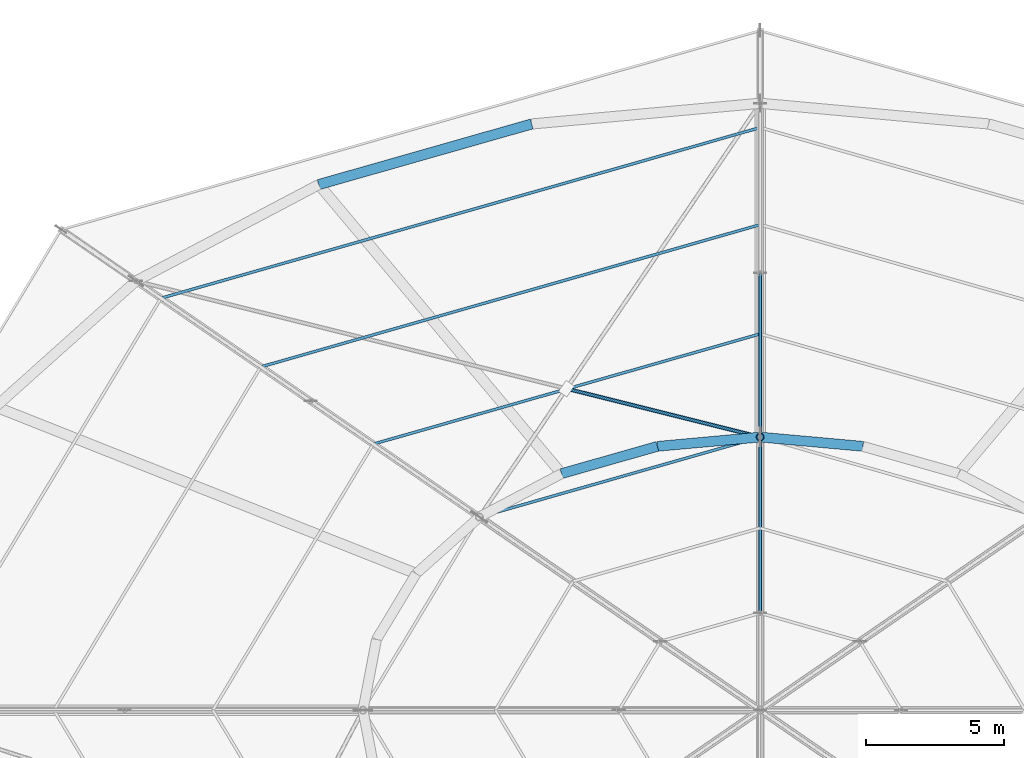
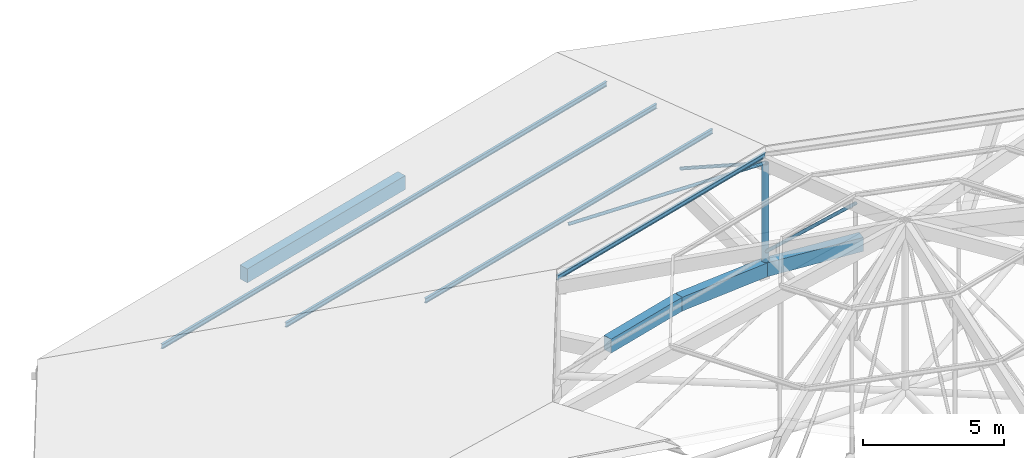
# One storey, part 34 of 66: 8 members, 4 beams.
"""IFC4 building model written with IfcOpenShell, lengths in metres."""

from ifc_helpers import new_model, si_unit, direction, frame, origin, origin_2d, place, context, subcontext, project, spatial, rectangle, hollow_circle, i_section, extrude, material, material_profile, profile_set, type_object, element, save


model = new_model("IFC4")

# Units and contexts
model_context = context("Model", 3, precision=1e-05, world=origin(), true_north=direction((0.0, 1.0)))
body_context = subcontext(model_context, "Body", "Model", "MODEL_VIEW")
ifc_project = project(units=[si_unit("LENGTHUNIT", "METRE"), si_unit("AREAUNIT", "SQUARE_METRE"), si_unit("VOLUMEUNIT", "CUBIC_METRE"), si_unit("PLANEANGLEUNIT", "RADIAN"), si_unit("MASSUNIT", "GRAM", prefix="KILO")], contexts=[model_context])

# Site, building, storey
site_placement = place(None, origin())
site = spatial("IfcSite", under=ifc_project, at=site_placement, CompositionType="ELEMENT")
building_placement = place(site_placement, origin())
building = spatial("IfcBuilding", under=site, at=building_placement, Name="Zornivar Specialist Clinic", CompositionType="ELEMENT")
storey_placement = place(building_placement, frame((0.0, 0.0, 16.0)))
storey = spatial("IfcBuildingStorey", under=building, at=storey_placement, Name="L04", CompositionType="ELEMENT", Elevation=16.0)

# Beams
ifc_material_1 = material(Name="Concrete C30/37", Category="concrete")
ifc_material_profile_1 = material_profile(ifc_material_1, rectangle(XDim=0.360107421875, YDim=0.60009765625, at=origin_2d()), Name="RC 360x600")
ifc_profile_set_1 = profile_set([ifc_material_profile_1], Name="Concrete C30/37")
beam_type_1 = type_object("IfcBeamType", Name="BM-RC-360x600", PredefinedType="BEAM", material=ifc_profile_set_1)
beam_1_placement = place(storey_placement, frame((97.326904296875, 67.1630859375, -0.300048828125), z_axis=(-0.99593853732, 0.090035714478, 0.0), x_axis=(-0.090035714478, -0.99593853732, 0.0)))
element("IfcBeam", 1, at=beam_1_placement, inside=storey, type_object=beam_type_1, Name="bm:V1:L04:inring:05", PredefinedType="BEAM", context=body_context, shape_type="SweptSolid", body=[
    extrude(rectangle(XDim=0.360107421875, YDim=0.60009765625, at=origin_2d()), origin(), (0.0, 0.0, 1.0), 3.741943359375),
])
beam_2_placement = place(storey_placement, frame((93.60009765625, 67.5, -0.300048828125), z_axis=(-0.995939066158, -0.09002986449, 0.0), x_axis=(0.09002986449, -0.995939066158, 0.0)))
element("IfcBeam", 2, at=beam_2_placement, inside=storey, type_object=beam_type_1, Name="bm:V1:L04:inring:06", PredefinedType="BEAM", context=body_context, shape_type="SweptSolid", body=[
    extrude(rectangle(XDim=0.360107421875, YDim=0.60009765625, at=origin_2d()), origin(), (0.0, 0.0, 1.0), 3.7421875),
])
beam_3_placement = place(storey_placement, frame((89.873046875, 67.1630859375, -0.300048828125), z_axis=(-0.961765935349, -0.2738727544, 0.0), x_axis=(0.2738727544, -0.961765935349, 0.0)))
element("IfcBeam", 3, at=beam_3_placement, inside=storey, type_object=beam_type_1, Name="bm:V1:L04:inring:07", PredefinedType="BEAM", context=body_context, shape_type="SweptSolid", body=[
    extrude(rectangle(XDim=0.360107421875, YDim=0.60009765625, at=origin_2d()), origin(), (0.0, 0.0, 1.0), 3.611328125),
])
ifc_material_2 = material(Name="Concrete C30/37", Category="concrete")
ifc_material_profile_2 = material_profile(ifc_material_2, rectangle(XDim=0.3701171875, YDim=0.60009765625, at=origin_2d()), Name="RC 370x600")
ifc_profile_set_2 = profile_set([ifc_material_profile_2], Name="Concrete C30/37")
beam_type_2 = type_object("IfcBeamType", Name="BM-RC-SPANDREL-370x600", PredefinedType="SPANDREL", material=ifc_profile_set_2)
beam_4_placement = place(storey_placement, frame((85.318115234375, 78.85009765625, -0.5400390625), z_axis=(-0.961790992591, -0.273784744957, 0.0), x_axis=(0.273784744957, -0.961790992591, 0.0)))
element("IfcBeam", 4, at=beam_4_placement, inside=storey, type_object=beam_type_2, Name="bm:V1:L04:outring:07", PredefinedType="SPANDREL", context=body_context, shape_type="SweptSolid", body=[
    extrude(rectangle(XDim=0.3701171875, YDim=0.60009765625, at=origin_2d()), origin(), (0.0, 0.0, 1.0), 8.024658203125),
])

# Members
ifc_material_3 = material(Name="Steel S355J2", Category="steel")
ifc_material_profile_3 = material_profile(ifc_material_3, hollow_circle(Radius=0.136474609375, WallThickness=0.012451171875, at=origin_2d()), Name="CHS 273x12.5")
ifc_profile_set_3 = profile_set([ifc_material_profile_3], Name="Steel S355J2")
member_type_1 = type_object("IfcMemberType", Name="MEM-CHORD-CHS273", PredefinedType="CHORD", material=ifc_profile_set_3)
member_1_placement = place(storey_placement, frame((93.60009765625, 67.5, -0.080078125), z_axis=(0.0, 0.0, 1.0), x_axis=(1.0, 0.0, 0.0)))
element("IfcMember", 5, at=member_1_placement, inside=storey, type_object=member_type_1, Name="mem:V1:L04:post:in:2", PredefinedType="CHORD", context=body_context, shape_type="SweptSolid", body=[
    extrude(hollow_circle(Radius=0.136474609375, WallThickness=0.012451171875, at=origin_2d()), origin(), (0.0, 0.0, 1.0), 4.2841796875),
])
ifc_material_4 = material(Name="Steel S355J2", Category="steel")
ifc_material_profile_4 = material_profile(ifc_material_4, hollow_circle(Radius=0.06982421875, WallThickness=0.008056640625, at=origin_2d()), Name="CHS 139.7x8")
ifc_profile_set_4 = profile_set([ifc_material_profile_4], Name="Steel S355J2")
member_type_2 = type_object("IfcMemberType", Name="MEM-DIAG-CHS140", PredefinedType="BRACE", material=ifc_profile_set_4)
member_2_placement = place(storey_placement, frame((93.60009765625, 73.43994140625, 0.360107421875), z_axis=(0.0, -0.839537753422, 0.543301353375), x_axis=(1.0, 0.0, 0.0)))
element("IfcMember", 6, at=member_2_placement, inside=storey, type_object=member_type_2, Name="mem:V1:L04:diag2:2", PredefinedType="BRACE", context=body_context, shape_type="SweptSolid", body=[
    extrude(hollow_circle(Radius=0.06982421875, WallThickness=0.008056640625, at=origin_2d()), origin(), (0.0, 0.0, 1.0), 7.0751953125),
])
member_3_placement = place(storey_placement, frame((93.60009765625, 67.5, 0.360107421875), z_axis=(0.0, -0.730355967539, 0.683066732231), x_axis=(1.0, 0.0, 0.0)))
element("IfcMember", 7, at=member_3_placement, inside=storey, type_object=member_type_2, Name="mem:V1:L04:diag3:2", PredefinedType="BRACE", context=body_context, shape_type="SweptSolid", body=[
    extrude(hollow_circle(Radius=0.06982421875, WallThickness=0.008056640625, at=origin_2d()), origin(), (0.0, 0.0, 1.0), 8.7353515625),
])
ifc_material_5 = material(Name="Steel S355J2", Category="steel")
ifc_material_profile_5 = material_profile(ifc_material_5, i_section(OverallWidth=0.10009765625, OverallDepth=0.199951171875, WebThickness=0.005615234375, FlangeThickness=0.008544921875, FilletRadius=0.011962890625, at=origin_2d()), Name="IPE 200")
ifc_profile_set_5 = profile_set([ifc_material_profile_5], Name="Steel S355J2")
member_type_3 = type_object("IfcMemberType", Name="MEM-PURLIN-IPE200", PredefinedType="PURLIN", material=ifc_profile_set_5)
member_4_placement = place(storey_placement, frame((93.60009765625, 78.719970703125, 0.8349609375), z_axis=(-0.961760988869, -0.273890124485, 0.0), x_axis=(0.273890124485, -0.961760988869, 0.0)))
element("IfcMember", 8, at=member_4_placement, inside=storey, type_object=member_type_3, Name="mem:V1:L04:purl:2:01", PredefinedType="PURLIN", context=body_context, shape_type="SweptSolid", body=[
    extrude(i_section(OverallWidth=0.10009765625, OverallDepth=0.199951171875, WebThickness=0.005615234375, FlangeThickness=0.008544921875, FilletRadius=0.011962890625, at=origin_2d()), origin(), (0.0, 0.0, 1.0), 22.5859375),
])
member_5_placement = place(storey_placement, frame((93.60009765625, 75.199951171875, 2.006103515625), z_axis=(-0.961761961907, -0.273886707653, 0.0), x_axis=(0.273886707653, -0.961761961907, 0.0)))
element("IfcMember", 9, at=member_5_placement, inside=storey, type_object=member_type_3, Name="mem:V1:L04:purl:2:02", PredefinedType="PURLIN", context=body_context, shape_type="SweptSolid", body=[
    extrude(i_section(OverallWidth=0.10009765625, OverallDepth=0.199951171875, WebThickness=0.005615234375, FlangeThickness=0.008544921875, FilletRadius=0.011962890625, at=origin_2d()), origin(), (0.0, 0.0, 1.0), 18.82177734375),
])
member_6_placement = place(storey_placement, frame((93.60009765625, 71.239990234375, 3.323974609375), z_axis=(-0.961766733329, -0.273869952099, 0.0), x_axis=(0.273869952099, -0.961766733329, 0.0)))
element("IfcMember", 10, at=member_6_placement, inside=storey, type_object=member_type_3, Name="mem:V1:L04:purl:2:03", PredefinedType="PURLIN", context=body_context, shape_type="SweptSolid", body=[
    extrude(i_section(OverallWidth=0.10009765625, OverallDepth=0.199951171875, WebThickness=0.005615234375, FlangeThickness=0.008544921875, FilletRadius=0.011962890625, at=origin_2d()), origin(), (0.0, 0.0, 1.0), 14.586669921875),
])
member_7_placement = place(storey_placement, frame((93.60009765625, 67.5, 4.569091796875), z_axis=(-0.961755080062, -0.27391087232, 0.0), x_axis=(0.27391087232, -0.961755080062, 0.0)))
element("IfcMember", 11, at=member_7_placement, inside=storey, type_object=member_type_3, Name="mem:V1:L04:purl:2:04", PredefinedType="PURLIN", context=body_context, shape_type="SweptSolid", body=[
    extrude(i_section(OverallWidth=0.10009765625, OverallDepth=0.199951171875, WebThickness=0.005615234375, FlangeThickness=0.008544921875, FilletRadius=0.011962890625, at=origin_2d()), origin(), (0.0, 0.0, 1.0), 10.5869140625),
])
ifc_material_6 = material(Name="Steel S355J2", Category="steel")
ifc_material_profile_6 = material_profile(ifc_material_6, hollow_circle(Radius=0.06982421875, WallThickness=0.008056640625, at=origin_2d()), Name="CHS 139.7x8")
ifc_profile_set_6 = profile_set([ifc_material_profile_6], Name="Steel S355J2")
member_type_4 = type_object("IfcMemberType", Name="MEM-WIND-CHS140", PredefinedType="BRACE", material=ifc_profile_set_6)
member_8_placement = place(storey_placement, frame((86.577880859375, 69.2548828125, 2.9541015625), z_axis=(0.956013111626, -0.238911874504, 0.170176516063), x_axis=(0.242448323928, 0.970164321249, 0.0)))
element("IfcMember", 12, at=member_8_placement, inside=storey, type_object=member_type_4, Name="mem:V1:L04:wbraceB2:2", PredefinedType="BRACE", context=body_context, shape_type="SweptSolid", body=[
    extrude(hollow_circle(Radius=0.06982421875, WallThickness=0.008056640625, at=origin_2d()), origin(), (0.0, 0.0, 1.0), 7.34521484375),
])

save(model, "model.ifc")
